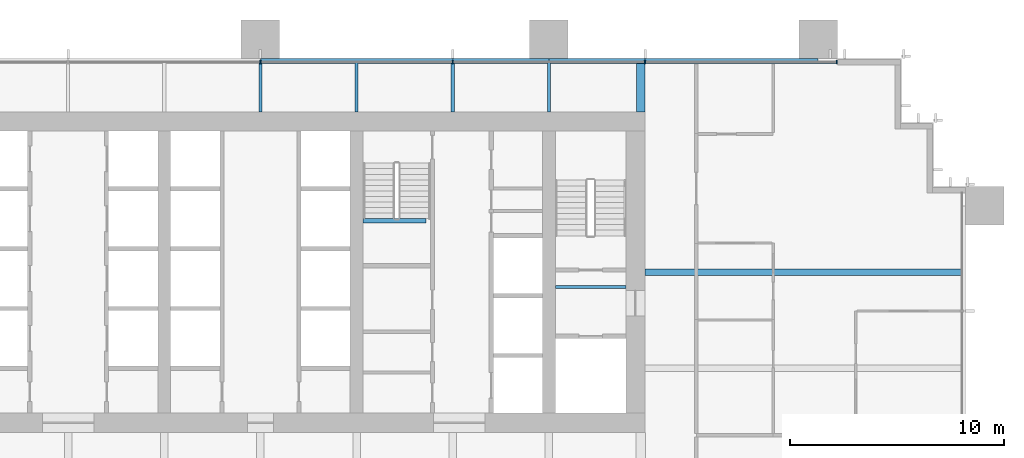
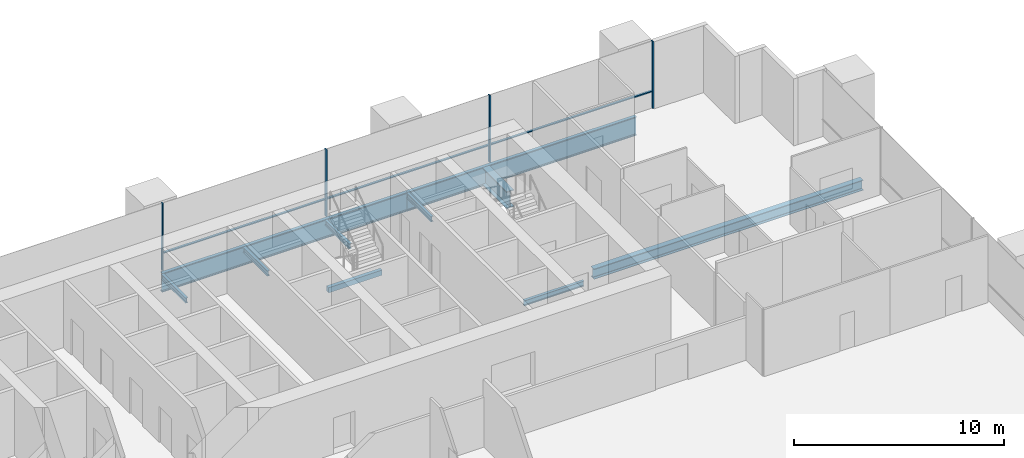
# One storey, part 8 of 17: 10 beams, 7 members, 1 element without a shape of its own.
"""IFC4 building model written with IfcOpenShell, lengths in metres."""

from ifc_helpers import new_model, si_unit, direction, frame, origin, origin_2d, place, context, subcontext, project, spatial, rectangle, i_section, extrude, material, material_profile, profile_set, type_object, element, aggregate, save


model = new_model("IFC4")

# Units and contexts
model_context = context("Model", 3, precision=1e-05, world=origin(), true_north=direction((0.0, 1.0)))
body_context = subcontext(model_context, "Body", "Model", "MODEL_VIEW")
ifc_project = project(units=[si_unit("LENGTHUNIT", "METRE"), si_unit("AREAUNIT", "SQUARE_METRE"), si_unit("VOLUMEUNIT", "CUBIC_METRE"), si_unit("PLANEANGLEUNIT", "RADIAN"), si_unit("MASSUNIT", "GRAM", prefix="KILO")], contexts=[model_context])

# Site, building, storey
site_placement = place(None, origin())
site = spatial("IfcSite", under=ifc_project, at=site_placement, CompositionType="ELEMENT")
building_placement = place(site_placement, origin())
building = spatial("IfcBuilding", under=site, at=building_placement, Name="Rattan Terrace Tower", CompositionType="ELEMENT")
storey_placement = place(building_placement, frame((0.0, 0.0, 48.800048828125)))
storey = spatial("IfcBuildingStorey", under=building, at=storey_placement, Name="L10", CompositionType="ELEMENT", Elevation=48.800048828125)

# Beam
ifc_material_1 = material(Name="Concrete C40/50", Category="concrete")
ifc_material_profile_1 = material_profile(ifc_material_1, rectangle(XDim=0.199951171875, YDim=0.300048828125, at=origin_2d()), Name="RC 200x300")
ifc_profile_set_1 = profile_set([ifc_material_profile_1], Name="Concrete C40/50")
beam_type_1 = type_object("IfcBeamType", Name="Core landing beam RC 200x300", PredefinedType="BEAM", material=ifc_profile_set_1)
beam_1_placement = place(storey_placement, frame((4.800048828125, 2.39990234375, 1.699951171875), z_axis=(1.0, 0.0, 0.0), x_axis=(0.0, 1.0, 0.0)))
element("IfcBeam", 1, at=beam_1_placement, inside=storey, type_object=beam_type_1, Name="st-S3-L10 landing 1 edge beam", PredefinedType="BEAM", context=body_context, shape_type="SweptSolid", body=[
    extrude(rectangle(XDim=0.199951171875, YDim=0.300048828125, at=origin_2d()), origin(), (0.0, 0.0, 1.0), 2.949951171875),
])

# Curtain wall, members
ifc_material_2 = material(Name="Aluminium and glass", Category="aluminium")
curtain_wall_type = type_object("IfcCurtainWallType", Name="Facade Unitised Curtain Wall", PredefinedType="NOTDEFINED", material=ifc_material_2)
curtain_wall_placement = place(storey_placement, origin())
curtain_wall = element("IfcCurtainWall", 2, at=curtain_wall_placement, inside=storey, type_object=curtain_wall_type, Name="Curtain wall L10-2", PredefinedType="NOTDEFINED")
ifc_material_3 = material(Name="Aluminium", Category="aluminium")
ifc_material_profile_2 = material_profile(ifc_material_3, rectangle(XDim=0.06005859375, YDim=0.159912109375, at=origin_2d()), Name="Aluminium 60x160")
ifc_profile_set_2 = profile_set([ifc_material_profile_2], Name="Aluminium")
member_type_1 = type_object("IfcMemberType", Name="Facade CW Mullion 60x160", PredefinedType="MULLION", material=ifc_profile_set_2)
member_1_placement = place(storey_placement, frame((26.969970703125, 9.830078125, 0.0), z_axis=(0.0, 0.0, 1.0), x_axis=(-1.0, 0.0, 0.0)))
member_1 = element("IfcMember", 3, at=member_1_placement, type_object=member_type_1, Name="Mullion cwl-L10-002.1", PredefinedType="MULLION", context=body_context, shape_type="SweptSolid", body=[
    extrude(rectangle(XDim=0.06005859375, YDim=0.159912109375, at=origin_2d()), origin(), (0.0, 0.0, 1.0), 3.89990234375),
])
member_2_placement = place(storey_placement, frame((18.0, 9.830078125, 0.0), z_axis=(0.0, 0.0, 1.0), x_axis=(-1.0, 0.0, 0.0)))
member_2 = element("IfcMember", 4, at=member_2_placement, type_object=member_type_1, Name="Mullion cwl-L10-002.2", PredefinedType="MULLION", context=body_context, shape_type="SweptSolid", body=[
    extrude(rectangle(XDim=0.06005859375, YDim=0.159912109375, at=origin_2d()), origin(), (0.0, 0.0, 1.0), 3.89990234375),
])
member_3_placement = place(storey_placement, frame((9.0, 9.830078125, 0.0), z_axis=(0.0, 0.0, 1.0), x_axis=(-1.0, 0.0, 0.0)))
member_3 = element("IfcMember", 5, at=member_3_placement, type_object=member_type_1, Name="Mullion cwl-L10-002.3", PredefinedType="MULLION", context=body_context, shape_type="SweptSolid", body=[
    extrude(rectangle(XDim=0.06005859375, YDim=0.159912109375, at=origin_2d()), origin(), (0.0, 0.0, 1.0), 3.89990234375),
])
member_4_placement = place(storey_placement, frame((0.0, 9.830078125, 0.0), z_axis=(0.0, 0.0, 1.0), x_axis=(-1.0, 0.0, 0.0)))
member_4 = element("IfcMember", 6, at=member_4_placement, type_object=member_type_1, Name="Mullion cwl-L10-002.4", PredefinedType="MULLION", context=body_context, shape_type="SweptSolid", body=[
    extrude(rectangle(XDim=0.06005859375, YDim=0.159912109375, at=origin_2d()), origin(), (0.0, 0.0, 1.0), 3.89990234375),
])
ifc_material_4 = material(Name="Aluminium", Category="aluminium")
ifc_material_profile_3 = material_profile(ifc_material_4, rectangle(XDim=0.1201171875, YDim=0.06005859375, at=origin_2d()), Name="Aluminium 120x60")
ifc_profile_set_3 = profile_set([ifc_material_profile_3], Name="Aluminium")
member_type_2 = type_object("IfcMemberType", Name="Facade CW Transom 120x60", PredefinedType="USERDEFINED", material=ifc_profile_set_3)
member_5_placement = place(storey_placement, frame((26.93994140625, 9.830078125, 1.0), z_axis=(-1.0, 0.0, 0.0), x_axis=(0.0, -1.0, 0.0)))
member_5 = element("IfcMember", 7, at=member_5_placement, type_object=member_type_2, Name="Transom cwl-L10-002.1", ObjectType="TRANSOM", PredefinedType="USERDEFINED", context=body_context, shape_type="SweptSolid", body=[
    extrude(rectangle(XDim=0.1201171875, YDim=0.06005859375, at=origin_2d()), origin(), (0.0, 0.0, 1.0), 8.909912109375),
])
member_6_placement = place(storey_placement, frame((17.969970703125, 9.830078125, 1.0), z_axis=(-1.0, 0.0, 0.0), x_axis=(0.0, -1.0, 0.0)))
member_6 = element("IfcMember", 8, at=member_6_placement, type_object=member_type_2, Name="Transom cwl-L10-002.2", ObjectType="TRANSOM", PredefinedType="USERDEFINED", context=body_context, shape_type="SweptSolid", body=[
    extrude(rectangle(XDim=0.1201171875, YDim=0.06005859375, at=origin_2d()), origin(), (0.0, 0.0, 1.0), 8.93994140625),
])
member_7_placement = place(storey_placement, frame((8.969970703125, 9.830078125, 1.0), z_axis=(-1.0, 0.0, 0.0), x_axis=(0.0, -1.0, 0.0)))
member_7 = element("IfcMember", 9, at=member_7_placement, type_object=member_type_2, Name="Transom cwl-L10-002.3", ObjectType="TRANSOM", PredefinedType="USERDEFINED", context=body_context, shape_type="SweptSolid", body=[
    extrude(rectangle(XDim=0.1201171875, YDim=0.06005859375, at=origin_2d()), origin(), (0.0, 0.0, 1.0), 8.93994140625),
])
aggregate(curtain_wall, [member_1, member_2, member_3, member_4, member_5, member_6, member_7])

# Beams
ifc_material_5 = material(Name="Steel S460", Category="steel")
ifc_material_profile_4 = material_profile(ifc_material_5, i_section(OverallWidth=0.39990234375, OverallDepth=1.0, WebThickness=0.01806640625, FlangeThickness=0.044921875, at=origin_2d()), Name="PG 1000x400-18-45")
ifc_profile_set_4 = profile_set([ifc_material_profile_4], Name="Steel S460")
beam_type_2 = type_object("IfcBeamType", Name="Frame core girder PG 1000x400-18-45", PredefinedType="BEAM", material=ifc_profile_set_4)
beam_2_placement = place(storey_placement, frame((17.800048828125, 7.5, -0.699951171875), z_axis=(0.0, 1.0, 0.0), x_axis=(-1.0, 0.0, 0.0)))
element("IfcBeam", 10, at=beam_2_placement, inside=storey, type_object=beam_type_2, Name="gdr-L10-016", PredefinedType="BEAM", context=body_context, shape_type="SweptSolid", body=[
    extrude(i_section(OverallWidth=0.39990234375, OverallDepth=1.0, WebThickness=0.01806640625, FlangeThickness=0.044921875, at=origin_2d()), origin(), (0.0, 0.0, 1.0), 2.320068359375),
])
ifc_material_6 = material(Name="Steel S460", Category="steel")
ifc_material_profile_5 = material_profile(ifc_material_6, i_section(OverallWidth=0.179931640625, OverallDepth=1.10009765625, WebThickness=0.01611328125, FlangeThickness=0.050048828125, at=origin_2d()), Name="PG 1100x180-16-50")
ifc_profile_set_5 = profile_set([ifc_material_profile_5], Name="Steel S460")
beam_type_3 = type_object("IfcBeamType", Name="Frame edge girder PG 1100x180-16-50", PredefinedType="SPANDREL", material=ifc_profile_set_5)
beam_3_placement = place(storey_placement, frame((13.5, 9.909912109375, -0.75), z_axis=(-1.0, 0.0, 0.0), x_axis=(0.0, -1.0, 0.0)))
element("IfcBeam", 11, at=beam_3_placement, inside=storey, type_object=beam_type_3, Name="gdr-L10-011", PredefinedType="SPANDREL", context=body_context, shape_type="SweptSolid", body=[
    extrude(i_section(OverallWidth=0.179931640625, OverallDepth=1.10009765625, WebThickness=0.01611328125, FlangeThickness=0.050048828125, at=origin_2d()), origin(), (0.0, 0.0, 1.0), 13.5),
])
beam_4_placement = place(storey_placement, frame((26.10009765625, 9.909912109375, -0.75), z_axis=(-1.0, 0.0, 0.0), x_axis=(0.0, -1.0, 0.0)))
element("IfcBeam", 12, at=beam_4_placement, inside=storey, type_object=beam_type_3, Name="gdr-L10-012", PredefinedType="SPANDREL", context=body_context, shape_type="SweptSolid", body=[
    extrude(i_section(OverallWidth=0.179931640625, OverallDepth=1.10009765625, WebThickness=0.01611328125, FlangeThickness=0.050048828125, at=origin_2d()), origin(), (0.0, 0.0, 1.0), 12.60009765625),
])
ifc_material_7 = material(Name="Steel S355", Category="steel")
ifc_material_profile_6 = material_profile(ifc_material_7, i_section(OverallWidth=0.300048828125, OverallDepth=0.60009765625, WebThickness=0.015380859375, FlangeThickness=0.030029296875, FilletRadius=0.027099609375, at=origin_2d()), Name="HE 600 B")
ifc_profile_set_6 = profile_set([ifc_material_profile_6], Name="Steel S355")
beam_type_4 = type_object("IfcBeamType", Name="Frame floor beam HE 600 B", PredefinedType="JOIST", material=ifc_profile_set_6)
beam_5_placement = place(storey_placement, frame((18.0, 0.0, -0.5), z_axis=(1.0, 0.0, 0.0), x_axis=(0.0, 1.0, 0.0)))
element("IfcBeam", 13, at=beam_5_placement, inside=storey, type_object=beam_type_4, Name="bm-L10-023", PredefinedType="JOIST", context=body_context, shape_type="SweptSolid", body=[
    extrude(i_section(OverallWidth=0.300048828125, OverallDepth=0.60009765625, WebThickness=0.015380859375, FlangeThickness=0.030029296875, FilletRadius=0.027099609375, at=origin_2d()), origin(), (0.0, 0.0, 1.0), 14.820068359375),
])
ifc_material_8 = material(Name="Steel S355", Category="steel")
ifc_material_profile_7 = material_profile(ifc_material_8, i_section(OverallWidth=0.14990234375, OverallDepth=0.300048828125, WebThickness=0.007080078125, FlangeThickness=0.0107421875, FilletRadius=0.014892578125, at=origin_2d()), Name="IPE 300")
ifc_profile_set_7 = profile_set([ifc_material_profile_7], Name="Steel S355")
beam_type_5 = type_object("IfcBeamType", Name="Frame floor beam IPE 300", PredefinedType="JOIST", material=ifc_profile_set_7)
beam_6_placement = place(storey_placement, frame((13.800048828125, -0.695068359375, -0.35009765625), z_axis=(1.0, 0.0, 0.0), x_axis=(0.0, 1.0, 0.0)))
element("IfcBeam", 14, at=beam_6_placement, inside=storey, type_object=beam_type_5, Name="bm-L10-002", PredefinedType="JOIST", context=body_context, shape_type="SweptSolid", body=[
    extrude(i_section(OverallWidth=0.14990234375, OverallDepth=0.300048828125, WebThickness=0.007080078125, FlangeThickness=0.0107421875, FilletRadius=0.014892578125, at=origin_2d()), origin(), (0.0, 0.0, 1.0), 3.300048828125),
])
for number, where, z_axis, x_axis, name in (
    (15, (0.0, 7.5, -0.35009765625), (0.0, 1.0, 0.0), (-1.0, 0.0, 0.0), "bm-L10-027"),
    (16, (4.5, 7.5, -0.35009765625), (0.0, 1.0, 0.0), (-1.0, 0.0, 0.0), "bm-L10-028"),
    (17, (9.0, 7.5, -0.35009765625), (0.0, 1.0, 0.0), (-1.0, 0.0, 0.0), "bm-L10-029"),
    (18, (13.5, 7.5, -0.35009765625), (0.0, 1.0, 0.0), (-1.0, 0.0, 0.0), "bm-L10-030"),
):
    element("IfcBeam", number, at=place(storey_placement, frame(where, z_axis=z_axis, x_axis=x_axis)), inside=storey, type_object=beam_type_5, Name=name, PredefinedType="JOIST", context=body_context, shape_type="SweptSolid", body=[
        extrude(i_section(OverallWidth=0.14990234375, OverallDepth=0.300048828125, WebThickness=0.007080078125, FlangeThickness=0.0107421875, FilletRadius=0.014892578125, at=origin_2d()), origin(), (0.0, 0.0, 1.0), 2.320068359375),
    ])

save(model, "model.ifc")
